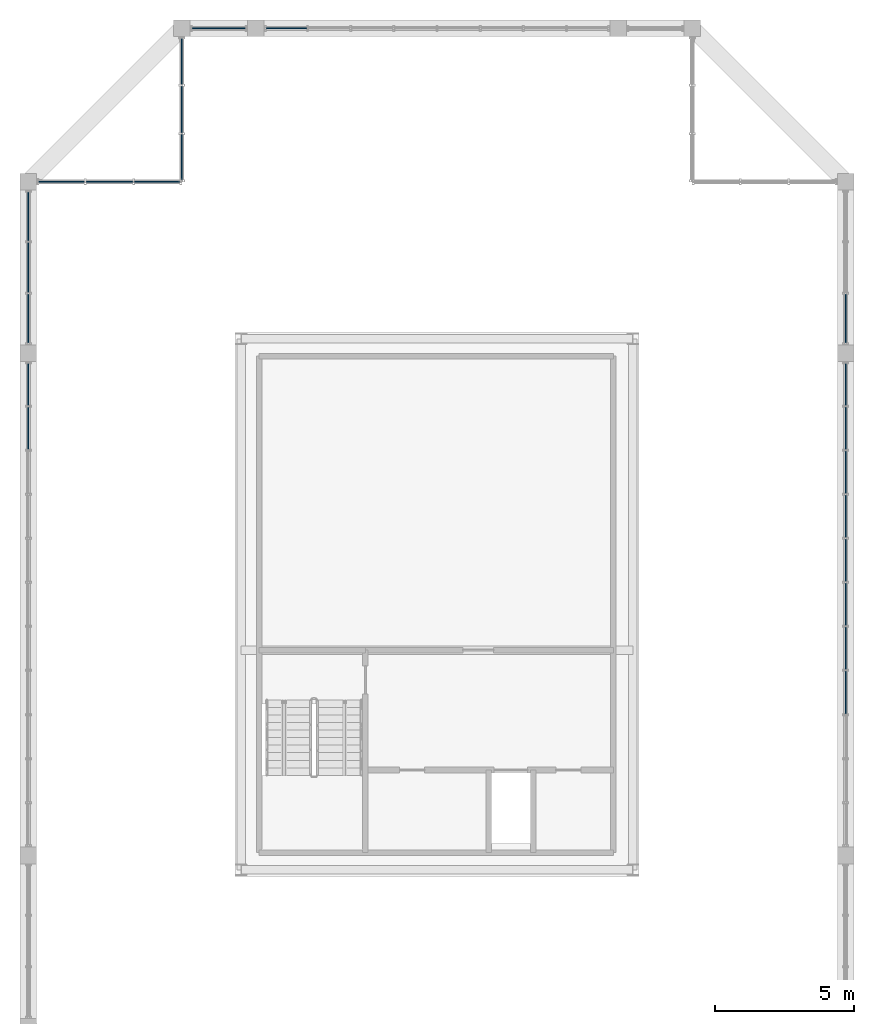
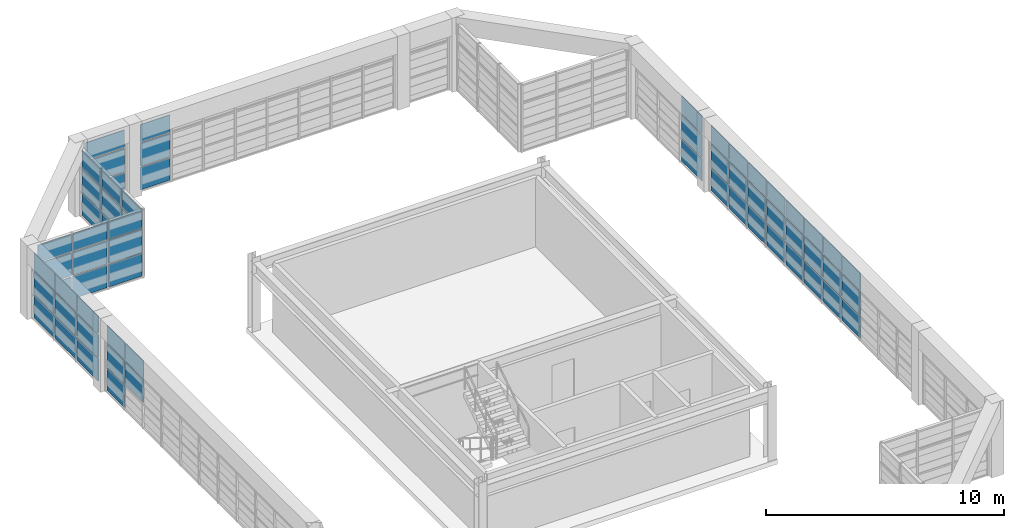
# One storey, part 22 of 27: 65 plates, 8 elements without a shape of their own.
"""IFC4 building model written with IfcOpenShell, lengths in metres."""

from ifc_helpers import new_model, si_unit, direction, frame, origin, origin_2d, place, context, subcontext, project, spatial, rectangle, extrude, source, transform, mapped, material, layer, layer_set, type_object, element, aggregate, save


model = new_model("IFC4")

# Units and contexts
model_context = context("Model", 3, precision=1e-05, world=origin(), true_north=direction((0.0, 1.0)))
body_context = subcontext(model_context, "Body", "Model", "MODEL_VIEW")
ifc_project = project(units=[si_unit("LENGTHUNIT", "METRE"), si_unit("AREAUNIT", "SQUARE_METRE"), si_unit("VOLUMEUNIT", "CUBIC_METRE"), si_unit("PLANEANGLEUNIT", "RADIAN"), si_unit("MASSUNIT", "GRAM", prefix="KILO")], contexts=[model_context])

# Site, building, storey
site_placement = place(None, origin())
site = spatial("IfcSite", under=ifc_project, at=site_placement, CompositionType="ELEMENT")
building_placement = place(site_placement, origin())
building = spatial("IfcBuilding", under=site, at=building_placement, Name="Saelheon Loggia Tower", CompositionType="ELEMENT")
storey_placement = place(building_placement, frame((0.0, 0.0, 263.60009765625)))
storey = spatial("IfcBuildingStorey", under=building, at=storey_placement, Name="CR4", CompositionType="ELEMENT", Elevation=263.60009765625)

# Curtain wall, plates
ifc_material_1 = material(Name="Bronze-Anodised Aluminium and Fritted Ceramic Screen", Category="aluminium")
ifc_layer_1 = layer(ifc_material_1, 0.219970703125)
ifc_layer_set_1 = layer_set([ifc_layer_1], Name="Bronze-Anodised Aluminium and Fritted Ceramic Screen")
curtain_wall_type = type_object("IfcCurtainWallType", Name="CW_CrownScreen", PredefinedType="NOTDEFINED", material=ifc_layer_set_1)
curtain_wall_1_placement = place(storey_placement, origin())
curtain_wall_1 = element("IfcCurtainWall", 1, at=curtain_wall_1_placement, inside=storey, type_object=curtain_wall_type, Name="CR4 Crown Screen Curtain Wall 6-3", PredefinedType="NOTDEFINED")
ifc_material_2 = material(Name="Bronze Ceramic Fritted Spandrel Panel", Category="aluminium")
ifc_layer_2 = layer(ifc_material_2, 0.0380859375)
ifc_layer_set_2 = layer_set([ifc_layer_2], Name="Bronze Ceramic Fritted Spandrel Panel")
plate_type = type_object("IfcPlateType", Name="CW_CrownScreen_Panel", PredefinedType="CURTAIN_PANEL", material=ifc_layer_set_2)
shared_shape_1 = source(origin(), body_context, "Body", "SweptSolid", [
    extrude(rectangle(XDim=1.889892578125, YDim=0.0380859375, at=origin_2d()), origin(), (0.0, 0.0, 1.0), 1.14501953125),
])
plate_1_placement = place(storey_placement, frame((30.175048828125, 47.64990234375, 0.06982421875), z_axis=(0.0, 0.0, 1.0), x_axis=(-1.0, 0.0, 0.0)))
plate_1 = element("IfcPlate", 2, at=plate_1_placement, type_object=plate_type, Name="CW6 panel 1.1", PredefinedType="CURTAIN_PANEL", context=body_context, shape_type="MappedRepresentation", body=[
    mapped(shared_shape_1, transform((0.0, 0.0, 0.0), scale=1.0)),
])
shared_shape_2 = source(origin(), body_context, "Body", "SweptSolid", [
    extrude(rectangle(XDim=1.889892578125, YDim=0.0380859375, at=origin_2d()), origin(), (0.0, 0.0, 1.0), 1.179931640625),
])
plate_2_placement = place(storey_placement, frame((30.175048828125, 47.64990234375, 1.28515625), z_axis=(0.0, 0.0, 1.0), x_axis=(-1.0, 0.0, 0.0)))
plate_2 = element("IfcPlate", 3, at=plate_2_placement, type_object=plate_type, Name="CW6 panel 1.2", PredefinedType="CURTAIN_PANEL", context=body_context, shape_type="MappedRepresentation", body=[
    mapped(shared_shape_2, transform((0.0, 0.0, 0.0), scale=1.0)),
])
shared_shape_3 = source(origin(), body_context, "Body", "SweptSolid", [
    extrude(rectangle(XDim=1.889892578125, YDim=0.0380859375, at=origin_2d()), origin(), (0.0, 0.0, 1.0), 0.875),
])
plate_3_placement = place(storey_placement, frame((30.175048828125, 47.64990234375, 2.534912109375), z_axis=(0.0, 0.0, 1.0), x_axis=(-1.0, 0.0, 0.0)))
plate_3 = element("IfcPlate", 4, at=plate_3_placement, type_object=plate_type, Name="CW6 panel 1.3", PredefinedType="CURTAIN_PANEL", context=body_context, shape_type="MappedRepresentation", body=[
    mapped(shared_shape_3, transform((0.0, 0.0, 0.0), scale=1.0)),
])
aggregate(curtain_wall_1, [plate_1, plate_2, plate_3])

curtain_wall_2_placement = place(storey_placement, origin())
curtain_wall_2 = element("IfcCurtainWall", 5, at=curtain_wall_2_placement, inside=storey, type_object=curtain_wall_type, Name="CR4 Crown Screen Curtain Wall 6-2", PredefinedType="NOTDEFINED")
shared_shape_4 = source(origin(), body_context, "Body", "SweptSolid", [
    extrude(rectangle(XDim=1.4423828125, YDim=0.0380859375, at=origin_2d()), origin(), (0.0, 0.0, 1.0), 1.14501953125),
])
plate_4_placement = place(storey_placement, frame((32.601318359375, 47.64990234375, 0.06982421875), z_axis=(0.0, 0.0, 1.0), x_axis=(-1.0, 0.0, 0.0)))
plate_4 = element("IfcPlate", 6, at=plate_4_placement, type_object=plate_type, Name="CW6 panel 8.1", PredefinedType="CURTAIN_PANEL", context=body_context, shape_type="MappedRepresentation", body=[
    mapped(shared_shape_4, transform((0.0, 0.0, 0.0), scale=1.0)),
])
shared_shape_5 = source(origin(), body_context, "Body", "SweptSolid", [
    extrude(rectangle(XDim=1.4423828125, YDim=0.0380859375, at=origin_2d()), origin(), (0.0, 0.0, 1.0), 1.179931640625),
])
plate_5_placement = place(storey_placement, frame((32.601318359375, 47.64990234375, 1.28515625), z_axis=(0.0, 0.0, 1.0), x_axis=(-1.0, 0.0, 0.0)))
plate_5 = element("IfcPlate", 7, at=plate_5_placement, type_object=plate_type, Name="CW6 panel 8.2", PredefinedType="CURTAIN_PANEL", context=body_context, shape_type="MappedRepresentation", body=[
    mapped(shared_shape_5, transform((0.0, 0.0, 0.0), scale=1.0)),
])
shared_shape_6 = source(origin(), body_context, "Body", "SweptSolid", [
    extrude(rectangle(XDim=1.4423828125, YDim=0.0380859375, at=origin_2d()), origin(), (0.0, 0.0, 1.0), 0.875),
])
plate_6_placement = place(storey_placement, frame((32.601318359375, 47.64990234375, 2.534912109375), z_axis=(0.0, 0.0, 1.0), x_axis=(-1.0, 0.0, 0.0)))
plate_6 = element("IfcPlate", 8, at=plate_6_placement, type_object=plate_type, Name="CW6 panel 8.3", PredefinedType="CURTAIN_PANEL", context=body_context, shape_type="MappedRepresentation", body=[
    mapped(shared_shape_6, transform((0.0, 0.0, 0.0), scale=1.0)),
])
aggregate(curtain_wall_2, [plate_4, plate_5, plate_6])

curtain_wall_3_placement = place(storey_placement, origin())
curtain_wall_3 = element("IfcCurtainWall", 9, at=curtain_wall_3_placement, inside=storey, type_object=curtain_wall_type, Name="CR4 Crown Screen Curtain Wall 7-1", PredefinedType="NOTDEFINED")
shared_shape_7 = source(origin(), body_context, "Body", "SweptSolid", [
    extrude(rectangle(XDim=1.625, YDim=0.0380859375, at=origin_2d()), origin(), (0.0, 0.0, 1.0), 1.14501953125),
])
plate_7_placement = place(storey_placement, frame((28.85009765625, 46.45751953125, 0.06982421875), z_axis=(0.0, 0.0, 1.0), x_axis=(0.0, -1.0, 0.0)))
plate_7 = element("IfcPlate", 10, at=plate_7_placement, type_object=plate_type, Name="CW6 panel 1.1", PredefinedType="CURTAIN_PANEL", context=body_context, shape_type="MappedRepresentation", body=[
    mapped(shared_shape_7, transform((0.0, 0.0, 0.0), scale=1.0)),
])
plate_8_placement = place(storey_placement, frame((28.85009765625, 43.032470703125, 0.06982421875), z_axis=(0.0, 0.0, 1.0), x_axis=(0.0, -1.0, 0.0)))
plate_8 = element("IfcPlate", 11, at=plate_8_placement, type_object=plate_type, Name="CW6 panel 3.1", PredefinedType="CURTAIN_PANEL", context=body_context, shape_type="MappedRepresentation", body=[
    mapped(shared_shape_7, transform((0.0, 0.0, 0.0), scale=1.0)),
])

curtain_wall_4_placement = place(storey_placement, origin())
curtain_wall_4 = element("IfcCurtainWall", 12, at=curtain_wall_4_placement, inside=storey, type_object=curtain_wall_type, Name="CR4 Crown Screen Curtain Wall 8-1", PredefinedType="NOTDEFINED")
plate_9_placement = place(storey_placement, frame((27.967529296875, 42.14990234375, 0.06982421875), z_axis=(0.0, 0.0, 1.0), x_axis=(-1.0, 0.0, 0.0)))
plate_9 = element("IfcPlate", 13, at=plate_9_placement, type_object=plate_type, Name="CW6 panel 1.1", PredefinedType="CURTAIN_PANEL", context=body_context, shape_type="MappedRepresentation", body=[
    mapped(shared_shape_7, transform((0.0, 0.0, 0.0), scale=1.0)),
])
plate_10_placement = place(storey_placement, frame((24.54248046875, 42.14990234375, 0.06982421875), z_axis=(0.0, 0.0, 1.0), x_axis=(-1.0, 0.0, 0.0)))
plate_10 = element("IfcPlate", 14, at=plate_10_placement, type_object=plate_type, Name="CW6 panel 3.1", PredefinedType="CURTAIN_PANEL", context=body_context, shape_type="MappedRepresentation", body=[
    mapped(shared_shape_7, transform((0.0, 0.0, 0.0), scale=1.0)),
])

# Plate
shared_shape_8 = source(origin(), body_context, "Body", "SweptSolid", [
    extrude(rectangle(XDim=1.625, YDim=0.0380859375, at=origin_2d()), origin(), (0.0, 0.0, 1.0), 1.179931640625),
])
plate_11_placement = place(storey_placement, frame((28.85009765625, 46.45751953125, 1.28515625), z_axis=(0.0, 0.0, 1.0), x_axis=(0.0, -1.0, 0.0)))
plate_11 = element("IfcPlate", 15, at=plate_11_placement, type_object=plate_type, Name="CW6 panel 1.2", PredefinedType="CURTAIN_PANEL", context=body_context, shape_type="MappedRepresentation", body=[
    mapped(shared_shape_8, transform((0.0, 0.0, 0.0), scale=1.0)),
])

plate_12_placement = place(storey_placement, frame((28.85009765625, 43.032470703125, 1.28515625), z_axis=(0.0, 0.0, 1.0), x_axis=(0.0, -1.0, 0.0)))
plate_12 = element("IfcPlate", 16, at=plate_12_placement, type_object=plate_type, Name="CW6 panel 3.2", PredefinedType="CURTAIN_PANEL", context=body_context, shape_type="MappedRepresentation", body=[
    mapped(shared_shape_8, transform((0.0, 0.0, 0.0), scale=1.0)),
])

plate_13_placement = place(storey_placement, frame((27.967529296875, 42.14990234375, 1.28515625), z_axis=(0.0, 0.0, 1.0), x_axis=(-1.0, 0.0, 0.0)))
plate_13 = element("IfcPlate", 17, at=plate_13_placement, type_object=plate_type, Name="CW6 panel 1.2", PredefinedType="CURTAIN_PANEL", context=body_context, shape_type="MappedRepresentation", body=[
    mapped(shared_shape_8, transform((0.0, 0.0, 0.0), scale=1.0)),
])

plate_14_placement = place(storey_placement, frame((24.54248046875, 42.14990234375, 1.28515625), z_axis=(0.0, 0.0, 1.0), x_axis=(-1.0, 0.0, 0.0)))
plate_14 = element("IfcPlate", 18, at=plate_14_placement, type_object=plate_type, Name="CW6 panel 3.2", PredefinedType="CURTAIN_PANEL", context=body_context, shape_type="MappedRepresentation", body=[
    mapped(shared_shape_8, transform((0.0, 0.0, 0.0), scale=1.0)),
])

shared_shape_9 = source(origin(), body_context, "Body", "SweptSolid", [
    extrude(rectangle(XDim=1.625, YDim=0.0380859375, at=origin_2d()), origin(), (0.0, 0.0, 1.0), 0.875),
])
plate_15_placement = place(storey_placement, frame((28.85009765625, 46.45751953125, 2.534912109375), z_axis=(0.0, 0.0, 1.0), x_axis=(0.0, -1.0, 0.0)))
plate_15 = element("IfcPlate", 19, at=plate_15_placement, type_object=plate_type, Name="CW6 panel 1.3", PredefinedType="CURTAIN_PANEL", context=body_context, shape_type="MappedRepresentation", body=[
    mapped(shared_shape_9, transform((0.0, 0.0, 0.0), scale=1.0)),
])

plate_16_placement = place(storey_placement, frame((28.85009765625, 43.032470703125, 2.534912109375), z_axis=(0.0, 0.0, 1.0), x_axis=(0.0, -1.0, 0.0)))
plate_16 = element("IfcPlate", 20, at=plate_16_placement, type_object=plate_type, Name="CW6 panel 3.3", PredefinedType="CURTAIN_PANEL", context=body_context, shape_type="MappedRepresentation", body=[
    mapped(shared_shape_9, transform((0.0, 0.0, 0.0), scale=1.0)),
])

plate_17_placement = place(storey_placement, frame((27.967529296875, 42.14990234375, 2.534912109375), z_axis=(0.0, 0.0, 1.0), x_axis=(-1.0, 0.0, 0.0)))
plate_17 = element("IfcPlate", 21, at=plate_17_placement, type_object=plate_type, Name="CW6 panel 1.3", PredefinedType="CURTAIN_PANEL", context=body_context, shape_type="MappedRepresentation", body=[
    mapped(shared_shape_9, transform((0.0, 0.0, 0.0), scale=1.0)),
])

plate_18_placement = place(storey_placement, frame((24.54248046875, 42.14990234375, 2.534912109375), z_axis=(0.0, 0.0, 1.0), x_axis=(-1.0, 0.0, 0.0)))
plate_18 = element("IfcPlate", 22, at=plate_18_placement, type_object=plate_type, Name="CW6 panel 3.3", PredefinedType="CURTAIN_PANEL", context=body_context, shape_type="MappedRepresentation", body=[
    mapped(shared_shape_9, transform((0.0, 0.0, 0.0), scale=1.0)),
])

shared_shape_10 = source(origin(), body_context, "Body", "SweptSolid", [
    extrude(rectangle(XDim=1.659912109375, YDim=0.0380859375, at=origin_2d()), origin(), (0.0, 0.0, 1.0), 1.14501953125),
])
plate_19_placement = place(storey_placement, frame((28.85009765625, 44.7451171875, 0.06982421875), z_axis=(0.0, 0.0, 1.0), x_axis=(0.0, -1.0, 0.0)))
plate_19 = element("IfcPlate", 23, at=plate_19_placement, type_object=plate_type, Name="CW6 panel 2.1", PredefinedType="CURTAIN_PANEL", context=body_context, shape_type="MappedRepresentation", body=[
    mapped(shared_shape_10, transform((0.0, 0.0, 0.0), scale=1.0)),
])

plate_20_placement = place(storey_placement, frame((26.2548828125, 42.14990234375, 0.06982421875), z_axis=(0.0, 0.0, 1.0), x_axis=(-1.0, 0.0, 0.0)))
plate_20 = element("IfcPlate", 24, at=plate_20_placement, type_object=plate_type, Name="CW6 panel 2.1", PredefinedType="CURTAIN_PANEL", context=body_context, shape_type="MappedRepresentation", body=[
    mapped(shared_shape_10, transform((0.0, 0.0, 0.0), scale=1.0)),
])

shared_shape_11 = source(origin(), body_context, "Body", "SweptSolid", [
    extrude(rectangle(XDim=1.659912109375, YDim=0.0380859375, at=origin_2d()), origin(), (0.0, 0.0, 1.0), 1.179931640625),
])
plate_21_placement = place(storey_placement, frame((28.85009765625, 44.7451171875, 1.28515625), z_axis=(0.0, 0.0, 1.0), x_axis=(0.0, -1.0, 0.0)))
plate_21 = element("IfcPlate", 25, at=plate_21_placement, type_object=plate_type, Name="CW6 panel 2.2", PredefinedType="CURTAIN_PANEL", context=body_context, shape_type="MappedRepresentation", body=[
    mapped(shared_shape_11, transform((0.0, 0.0, 0.0), scale=1.0)),
])

plate_22_placement = place(storey_placement, frame((26.2548828125, 42.14990234375, 1.28515625), z_axis=(0.0, 0.0, 1.0), x_axis=(-1.0, 0.0, 0.0)))
plate_22 = element("IfcPlate", 26, at=plate_22_placement, type_object=plate_type, Name="CW6 panel 2.2", PredefinedType="CURTAIN_PANEL", context=body_context, shape_type="MappedRepresentation", body=[
    mapped(shared_shape_11, transform((0.0, 0.0, 0.0), scale=1.0)),
])

shared_shape_12 = source(origin(), body_context, "Body", "SweptSolid", [
    extrude(rectangle(XDim=1.659912109375, YDim=0.0380859375, at=origin_2d()), origin(), (0.0, 0.0, 1.0), 0.875),
])
plate_23_placement = place(storey_placement, frame((28.85009765625, 44.7451171875, 2.534912109375), z_axis=(0.0, 0.0, 1.0), x_axis=(0.0, -1.0, 0.0)))
plate_23 = element("IfcPlate", 27, at=plate_23_placement, type_object=plate_type, Name="CW6 panel 2.3", PredefinedType="CURTAIN_PANEL", context=body_context, shape_type="MappedRepresentation", body=[
    mapped(shared_shape_12, transform((0.0, 0.0, 0.0), scale=1.0)),
])

aggregate(curtain_wall_3, [plate_7, plate_11, plate_15, plate_19, plate_21, plate_23, plate_8, plate_12, plate_16])

plate_24_placement = place(storey_placement, frame((26.2548828125, 42.14990234375, 2.534912109375), z_axis=(0.0, 0.0, 1.0), x_axis=(-1.0, 0.0, 0.0)))
plate_24 = element("IfcPlate", 28, at=plate_24_placement, type_object=plate_type, Name="CW6 panel 2.3", PredefinedType="CURTAIN_PANEL", context=body_context, shape_type="MappedRepresentation", body=[
    mapped(shared_shape_12, transform((0.0, 0.0, 0.0), scale=1.0)),
])

aggregate(curtain_wall_4, [plate_9, plate_13, plate_17, plate_20, plate_22, plate_24, plate_10, plate_14, plate_18])

# Curtain wall, plate
curtain_wall_5_placement = place(storey_placement, origin())
curtain_wall_5 = element("IfcCurtainWall", 29, at=curtain_wall_5_placement, inside=storey, type_object=curtain_wall_type, Name="CR4 Crown Screen Curtain Wall 3-3", PredefinedType="NOTDEFINED")
shared_shape_13 = source(origin(), body_context, "Body", "SweptSolid", [
    extrude(rectangle(XDim=1.73828125, YDim=0.0380859375, at=origin_2d()), origin(), (0.0, 0.0, 1.0), 1.14501953125),
])
plate_25_placement = place(storey_placement, frame((52.64990234375, 37.249267578125, 0.06982421875), z_axis=(0.0, 0.0, 1.0), x_axis=(0.0, 1.0, 0.0)))
plate_25 = element("IfcPlate", 30, at=plate_25_placement, type_object=plate_type, Name="CW6 panel 1.1", PredefinedType="CURTAIN_PANEL", context=body_context, shape_type="MappedRepresentation", body=[
    mapped(shared_shape_13, transform((0.0, 0.0, 0.0), scale=1.0)),
])

# Curtain wall, plates
curtain_wall_6_placement = place(storey_placement, origin())
curtain_wall_6 = element("IfcCurtainWall", 31, at=curtain_wall_6_placement, inside=storey, type_object=curtain_wall_type, Name="CR4 Crown Screen Curtain Wall 9-1", PredefinedType="NOTDEFINED")
plate_26_placement = place(storey_placement, frame((23.35009765625, 40.90087890625, 0.06982421875), z_axis=(0.0, 0.0, 1.0), x_axis=(0.0, -1.0, 0.0)))
plate_26 = element("IfcPlate", 32, at=plate_26_placement, type_object=plate_type, Name="CW6 panel 1.1", PredefinedType="CURTAIN_PANEL", context=body_context, shape_type="MappedRepresentation", body=[
    mapped(shared_shape_13, transform((0.0, 0.0, 0.0), scale=1.0)),
])
plate_27_placement = place(storey_placement, frame((23.35009765625, 37.249267578125, 0.06982421875), z_axis=(0.0, 0.0, 1.0), x_axis=(0.0, -1.0, 0.0)))
plate_27 = element("IfcPlate", 33, at=plate_27_placement, type_object=plate_type, Name="CW6 panel 3.1", PredefinedType="CURTAIN_PANEL", context=body_context, shape_type="MappedRepresentation", body=[
    mapped(shared_shape_13, transform((0.0, 0.0, 0.0), scale=1.0)),
])

# Plate
shared_shape_14 = source(origin(), body_context, "Body", "SweptSolid", [
    extrude(rectangle(XDim=1.73828125, YDim=0.0380859375, at=origin_2d()), origin(), (0.0, 0.0, 1.0), 1.179931640625),
])
plate_28_placement = place(storey_placement, frame((52.64990234375, 37.249267578125, 1.28515625), z_axis=(0.0, 0.0, 1.0), x_axis=(0.0, 1.0, 0.0)))
plate_28 = element("IfcPlate", 34, at=plate_28_placement, type_object=plate_type, Name="CW6 panel 1.2", PredefinedType="CURTAIN_PANEL", context=body_context, shape_type="MappedRepresentation", body=[
    mapped(shared_shape_14, transform((0.0, 0.0, 0.0), scale=1.0)),
])

plate_29_placement = place(storey_placement, frame((23.35009765625, 40.90087890625, 1.28515625), z_axis=(0.0, 0.0, 1.0), x_axis=(0.0, -1.0, 0.0)))
plate_29 = element("IfcPlate", 35, at=plate_29_placement, type_object=plate_type, Name="CW6 panel 1.2", PredefinedType="CURTAIN_PANEL", context=body_context, shape_type="MappedRepresentation", body=[
    mapped(shared_shape_14, transform((0.0, 0.0, 0.0), scale=1.0)),
])

plate_30_placement = place(storey_placement, frame((23.35009765625, 37.249267578125, 1.28515625), z_axis=(0.0, 0.0, 1.0), x_axis=(0.0, -1.0, 0.0)))
plate_30 = element("IfcPlate", 36, at=plate_30_placement, type_object=plate_type, Name="CW6 panel 3.2", PredefinedType="CURTAIN_PANEL", context=body_context, shape_type="MappedRepresentation", body=[
    mapped(shared_shape_14, transform((0.0, 0.0, 0.0), scale=1.0)),
])

shared_shape_15 = source(origin(), body_context, "Body", "SweptSolid", [
    extrude(rectangle(XDim=1.73828125, YDim=0.0380859375, at=origin_2d()), origin(), (0.0, 0.0, 1.0), 0.875),
])
plate_31_placement = place(storey_placement, frame((52.64990234375, 37.249267578125, 2.534912109375), z_axis=(0.0, 0.0, 1.0), x_axis=(0.0, 1.0, 0.0)))
plate_31 = element("IfcPlate", 37, at=plate_31_placement, type_object=plate_type, Name="CW6 panel 1.3", PredefinedType="CURTAIN_PANEL", context=body_context, shape_type="MappedRepresentation", body=[
    mapped(shared_shape_15, transform((0.0, 0.0, 0.0), scale=1.0)),
])

aggregate(curtain_wall_5, [plate_25, plate_28, plate_31])

plate_32_placement = place(storey_placement, frame((23.35009765625, 40.90087890625, 2.534912109375), z_axis=(0.0, 0.0, 1.0), x_axis=(0.0, -1.0, 0.0)))
plate_32 = element("IfcPlate", 38, at=plate_32_placement, type_object=plate_type, Name="CW6 panel 1.3", PredefinedType="CURTAIN_PANEL", context=body_context, shape_type="MappedRepresentation", body=[
    mapped(shared_shape_15, transform((0.0, 0.0, 0.0), scale=1.0)),
])

plate_33_placement = place(storey_placement, frame((23.35009765625, 37.249267578125, 2.534912109375), z_axis=(0.0, 0.0, 1.0), x_axis=(0.0, -1.0, 0.0)))
plate_33 = element("IfcPlate", 39, at=plate_33_placement, type_object=plate_type, Name="CW6 panel 3.3", PredefinedType="CURTAIN_PANEL", context=body_context, shape_type="MappedRepresentation", body=[
    mapped(shared_shape_15, transform((0.0, 0.0, 0.0), scale=1.0)),
])

shared_shape_16 = source(origin(), body_context, "Body", "SweptSolid", [
    extrude(rectangle(XDim=1.7734375, YDim=0.0380859375, at=origin_2d()), origin(), (0.0, 0.0, 1.0), 1.14501953125),
])
plate_34_placement = place(storey_placement, frame((23.35009765625, 39.074951171875, 0.06982421875), z_axis=(0.0, 0.0, 1.0), x_axis=(0.0, -1.0, 0.0)))
plate_34 = element("IfcPlate", 40, at=plate_34_placement, type_object=plate_type, Name="CW6 panel 2.1", PredefinedType="CURTAIN_PANEL", context=body_context, shape_type="MappedRepresentation", body=[
    mapped(shared_shape_16, transform((0.0, 0.0, 0.0), scale=1.0)),
])

shared_shape_17 = source(origin(), body_context, "Body", "SweptSolid", [
    extrude(rectangle(XDim=1.7734375, YDim=0.0380859375, at=origin_2d()), origin(), (0.0, 0.0, 1.0), 1.179931640625),
])
plate_35_placement = place(storey_placement, frame((23.35009765625, 39.074951171875, 1.28515625), z_axis=(0.0, 0.0, 1.0), x_axis=(0.0, -1.0, 0.0)))
plate_35 = element("IfcPlate", 41, at=plate_35_placement, type_object=plate_type, Name="CW6 panel 2.2", PredefinedType="CURTAIN_PANEL", context=body_context, shape_type="MappedRepresentation", body=[
    mapped(shared_shape_17, transform((0.0, 0.0, 0.0), scale=1.0)),
])

shared_shape_18 = source(origin(), body_context, "Body", "SweptSolid", [
    extrude(rectangle(XDim=1.7734375, YDim=0.0380859375, at=origin_2d()), origin(), (0.0, 0.0, 1.0), 0.875),
])
plate_36_placement = place(storey_placement, frame((23.35009765625, 39.074951171875, 2.534912109375), z_axis=(0.0, 0.0, 1.0), x_axis=(0.0, -1.0, 0.0)))
plate_36 = element("IfcPlate", 42, at=plate_36_placement, type_object=plate_type, Name="CW6 panel 2.3", PredefinedType="CURTAIN_PANEL", context=body_context, shape_type="MappedRepresentation", body=[
    mapped(shared_shape_18, transform((0.0, 0.0, 0.0), scale=1.0)),
])

aggregate(curtain_wall_6, [plate_26, plate_29, plate_32, plate_34, plate_35, plate_36, plate_27, plate_30, plate_33])

# Curtain wall, plate
curtain_wall_7_placement = place(storey_placement, origin())
curtain_wall_7 = element("IfcCurtainWall", 43, at=curtain_wall_7_placement, inside=storey, type_object=curtain_wall_type, Name="CR4 Crown Screen Curtain Wall 3-2", PredefinedType="NOTDEFINED")
shared_shape_19 = source(origin(), body_context, "Body", "SweptSolid", [
    extrude(rectangle(XDim=1.47509765625, YDim=0.0380859375, at=origin_2d()), origin(), (0.0, 0.0, 1.0), 1.14501953125),
])
plate_37_placement = place(storey_placement, frame((52.64990234375, 34.882568359375, 0.06982421875), z_axis=(0.0, 0.0, 1.0), x_axis=(0.0, 1.0, 0.0)))
plate_37 = element("IfcPlate", 44, at=plate_37_placement, type_object=plate_type, Name="CW6 panel 11.1", PredefinedType="CURTAIN_PANEL", context=body_context, shape_type="MappedRepresentation", body=[
    mapped(shared_shape_19, transform((0.0, 0.0, 0.0), scale=1.0)),
])

curtain_wall_8_placement = place(storey_placement, origin())
curtain_wall_8 = element("IfcCurtainWall", 45, at=curtain_wall_8_placement, inside=storey, type_object=curtain_wall_type, Name="CR4 Crown Screen Curtain Wall 9-2", PredefinedType="NOTDEFINED")
plate_38_placement = place(storey_placement, frame((23.35009765625, 34.882568359375, 0.06982421875), z_axis=(0.0, 0.0, 1.0), x_axis=(0.0, -1.0, 0.0)))
plate_38 = element("IfcPlate", 46, at=plate_38_placement, type_object=plate_type, Name="CW6 panel 1.1", PredefinedType="CURTAIN_PANEL", context=body_context, shape_type="MappedRepresentation", body=[
    mapped(shared_shape_19, transform((0.0, 0.0, 0.0), scale=1.0)),
])

# Plate
shared_shape_20 = source(origin(), body_context, "Body", "SweptSolid", [
    extrude(rectangle(XDim=1.47509765625, YDim=0.0380859375, at=origin_2d()), origin(), (0.0, 0.0, 1.0), 1.179931640625),
])
plate_39_placement = place(storey_placement, frame((52.64990234375, 34.882568359375, 1.28515625), z_axis=(0.0, 0.0, 1.0), x_axis=(0.0, 1.0, 0.0)))
plate_39 = element("IfcPlate", 47, at=plate_39_placement, type_object=plate_type, Name="CW6 panel 11.2", PredefinedType="CURTAIN_PANEL", context=body_context, shape_type="MappedRepresentation", body=[
    mapped(shared_shape_20, transform((0.0, 0.0, 0.0), scale=1.0)),
])

plate_40_placement = place(storey_placement, frame((23.35009765625, 34.882568359375, 1.28515625), z_axis=(0.0, 0.0, 1.0), x_axis=(0.0, -1.0, 0.0)))
plate_40 = element("IfcPlate", 48, at=plate_40_placement, type_object=plate_type, Name="CW6 panel 1.2", PredefinedType="CURTAIN_PANEL", context=body_context, shape_type="MappedRepresentation", body=[
    mapped(shared_shape_20, transform((0.0, 0.0, 0.0), scale=1.0)),
])

shared_shape_21 = source(origin(), body_context, "Body", "SweptSolid", [
    extrude(rectangle(XDim=1.47509765625, YDim=0.0380859375, at=origin_2d()), origin(), (0.0, 0.0, 1.0), 0.875),
])
plate_41_placement = place(storey_placement, frame((52.64990234375, 34.882568359375, 2.534912109375), z_axis=(0.0, 0.0, 1.0), x_axis=(0.0, 1.0, 0.0)))
plate_41 = element("IfcPlate", 49, at=plate_41_placement, type_object=plate_type, Name="CW6 panel 11.3", PredefinedType="CURTAIN_PANEL", context=body_context, shape_type="MappedRepresentation", body=[
    mapped(shared_shape_21, transform((0.0, 0.0, 0.0), scale=1.0)),
])

plate_42_placement = place(storey_placement, frame((23.35009765625, 34.882568359375, 2.534912109375), z_axis=(0.0, 0.0, 1.0), x_axis=(0.0, -1.0, 0.0)))
plate_42 = element("IfcPlate", 50, at=plate_42_placement, type_object=plate_type, Name="CW6 panel 1.3", PredefinedType="CURTAIN_PANEL", context=body_context, shape_type="MappedRepresentation", body=[
    mapped(shared_shape_21, transform((0.0, 0.0, 0.0), scale=1.0)),
])

shared_shape_22 = source(origin(), body_context, "Body", "SweptSolid", [
    extrude(rectangle(XDim=1.510009765625, YDim=0.0380859375, at=origin_2d()), origin(), (0.0, 0.0, 1.0), 1.14501953125),
])
plate_43_placement = place(storey_placement, frame((52.64990234375, 23.840087890625, 0.06982421875), z_axis=(0.0, 0.0, 1.0), x_axis=(0.0, 1.0, 0.0)))
plate_43 = element("IfcPlate", 51, at=plate_43_placement, type_object=plate_type, Name="CW6 panel 4.1", PredefinedType="CURTAIN_PANEL", context=body_context, shape_type="MappedRepresentation", body=[
    mapped(shared_shape_22, transform((0.0, 0.0, 0.0), scale=1.0)),
])

plate_44_placement = place(storey_placement, frame((52.64990234375, 25.419921875, 0.06982421875), z_axis=(0.0, 0.0, 1.0), x_axis=(0.0, 1.0, 0.0)))
plate_44 = element("IfcPlate", 52, at=plate_44_placement, type_object=plate_type, Name="CW6 panel 5.1", PredefinedType="CURTAIN_PANEL", context=body_context, shape_type="MappedRepresentation", body=[
    mapped(shared_shape_22, transform((0.0, 0.0, 0.0), scale=1.0)),
])

plate_45_placement = place(storey_placement, frame((52.64990234375, 27.0, 0.06982421875), z_axis=(0.0, 0.0, 1.0), x_axis=(0.0, 1.0, 0.0)))
plate_45 = element("IfcPlate", 53, at=plate_45_placement, type_object=plate_type, Name="CW6 panel 6.1", PredefinedType="CURTAIN_PANEL", context=body_context, shape_type="MappedRepresentation", body=[
    mapped(shared_shape_22, transform((0.0, 0.0, 0.0), scale=1.0)),
])

plate_46_placement = place(storey_placement, frame((52.64990234375, 28.580078125, 0.06982421875), z_axis=(0.0, 0.0, 1.0), x_axis=(0.0, 1.0, 0.0)))
plate_46 = element("IfcPlate", 54, at=plate_46_placement, type_object=plate_type, Name="CW6 panel 7.1", PredefinedType="CURTAIN_PANEL", context=body_context, shape_type="MappedRepresentation", body=[
    mapped(shared_shape_22, transform((0.0, 0.0, 0.0), scale=1.0)),
])

plate_47_placement = place(storey_placement, frame((52.64990234375, 30.159912109375, 0.06982421875), z_axis=(0.0, 0.0, 1.0), x_axis=(0.0, 1.0, 0.0)))
plate_47 = element("IfcPlate", 55, at=plate_47_placement, type_object=plate_type, Name="CW6 panel 8.1", PredefinedType="CURTAIN_PANEL", context=body_context, shape_type="MappedRepresentation", body=[
    mapped(shared_shape_22, transform((0.0, 0.0, 0.0), scale=1.0)),
])

plate_48_placement = place(storey_placement, frame((52.64990234375, 31.739990234375, 0.06982421875), z_axis=(0.0, 0.0, 1.0), x_axis=(0.0, 1.0, 0.0)))
plate_48 = element("IfcPlate", 56, at=plate_48_placement, type_object=plate_type, Name="CW6 panel 9.1", PredefinedType="CURTAIN_PANEL", context=body_context, shape_type="MappedRepresentation", body=[
    mapped(shared_shape_22, transform((0.0, 0.0, 0.0), scale=1.0)),
])

plate_49_placement = place(storey_placement, frame((52.64990234375, 33.320068359375, 0.06982421875), z_axis=(0.0, 0.0, 1.0), x_axis=(0.0, 1.0, 0.0)))
plate_49 = element("IfcPlate", 57, at=plate_49_placement, type_object=plate_type, Name="CW6 panel 10.1", PredefinedType="CURTAIN_PANEL", context=body_context, shape_type="MappedRepresentation", body=[
    mapped(shared_shape_22, transform((0.0, 0.0, 0.0), scale=1.0)),
])

shared_shape_23 = source(origin(), body_context, "Body", "SweptSolid", [
    extrude(rectangle(XDim=1.510009765625, YDim=0.0380859375, at=origin_2d()), origin(), (0.0, 0.0, 1.0), 1.179931640625),
])
plate_50_placement = place(storey_placement, frame((52.64990234375, 23.840087890625, 1.28515625), z_axis=(0.0, 0.0, 1.0), x_axis=(0.0, 1.0, 0.0)))
plate_50 = element("IfcPlate", 58, at=plate_50_placement, type_object=plate_type, Name="CW6 panel 4.2", PredefinedType="CURTAIN_PANEL", context=body_context, shape_type="MappedRepresentation", body=[
    mapped(shared_shape_23, transform((0.0, 0.0, 0.0), scale=1.0)),
])

plate_51_placement = place(storey_placement, frame((52.64990234375, 25.419921875, 1.28515625), z_axis=(0.0, 0.0, 1.0), x_axis=(0.0, 1.0, 0.0)))
plate_51 = element("IfcPlate", 59, at=plate_51_placement, type_object=plate_type, Name="CW6 panel 5.2", PredefinedType="CURTAIN_PANEL", context=body_context, shape_type="MappedRepresentation", body=[
    mapped(shared_shape_23, transform((0.0, 0.0, 0.0), scale=1.0)),
])

plate_52_placement = place(storey_placement, frame((52.64990234375, 27.0, 1.28515625), z_axis=(0.0, 0.0, 1.0), x_axis=(0.0, 1.0, 0.0)))
plate_52 = element("IfcPlate", 60, at=plate_52_placement, type_object=plate_type, Name="CW6 panel 6.2", PredefinedType="CURTAIN_PANEL", context=body_context, shape_type="MappedRepresentation", body=[
    mapped(shared_shape_23, transform((0.0, 0.0, 0.0), scale=1.0)),
])

plate_53_placement = place(storey_placement, frame((52.64990234375, 28.580078125, 1.28515625), z_axis=(0.0, 0.0, 1.0), x_axis=(0.0, 1.0, 0.0)))
plate_53 = element("IfcPlate", 61, at=plate_53_placement, type_object=plate_type, Name="CW6 panel 7.2", PredefinedType="CURTAIN_PANEL", context=body_context, shape_type="MappedRepresentation", body=[
    mapped(shared_shape_23, transform((0.0, 0.0, 0.0), scale=1.0)),
])

plate_54_placement = place(storey_placement, frame((52.64990234375, 30.159912109375, 1.28515625), z_axis=(0.0, 0.0, 1.0), x_axis=(0.0, 1.0, 0.0)))
plate_54 = element("IfcPlate", 62, at=plate_54_placement, type_object=plate_type, Name="CW6 panel 8.2", PredefinedType="CURTAIN_PANEL", context=body_context, shape_type="MappedRepresentation", body=[
    mapped(shared_shape_23, transform((0.0, 0.0, 0.0), scale=1.0)),
])

plate_55_placement = place(storey_placement, frame((52.64990234375, 31.739990234375, 1.28515625), z_axis=(0.0, 0.0, 1.0), x_axis=(0.0, 1.0, 0.0)))
plate_55 = element("IfcPlate", 63, at=plate_55_placement, type_object=plate_type, Name="CW6 panel 9.2", PredefinedType="CURTAIN_PANEL", context=body_context, shape_type="MappedRepresentation", body=[
    mapped(shared_shape_23, transform((0.0, 0.0, 0.0), scale=1.0)),
])

plate_56_placement = place(storey_placement, frame((52.64990234375, 33.320068359375, 1.28515625), z_axis=(0.0, 0.0, 1.0), x_axis=(0.0, 1.0, 0.0)))
plate_56 = element("IfcPlate", 64, at=plate_56_placement, type_object=plate_type, Name="CW6 panel 10.2", PredefinedType="CURTAIN_PANEL", context=body_context, shape_type="MappedRepresentation", body=[
    mapped(shared_shape_23, transform((0.0, 0.0, 0.0), scale=1.0)),
])

plate_57_placement = place(storey_placement, frame((23.35009765625, 33.320068359375, 1.28515625), z_axis=(0.0, 0.0, 1.0), x_axis=(0.0, -1.0, 0.0)))
plate_57 = element("IfcPlate", 65, at=plate_57_placement, type_object=plate_type, Name="CW6 panel 2.2", PredefinedType="CURTAIN_PANEL", context=body_context, shape_type="MappedRepresentation", body=[
    mapped(shared_shape_23, transform((0.0, 0.0, 0.0), scale=1.0)),
])

shared_shape_24 = source(origin(), body_context, "Body", "SweptSolid", [
    extrude(rectangle(XDim=1.510009765625, YDim=0.0380859375, at=origin_2d()), origin(), (0.0, 0.0, 1.0), 0.875),
])
plate_58_placement = place(storey_placement, frame((52.64990234375, 23.840087890625, 2.534912109375), z_axis=(0.0, 0.0, 1.0), x_axis=(0.0, 1.0, 0.0)))
plate_58 = element("IfcPlate", 66, at=plate_58_placement, type_object=plate_type, Name="CW6 panel 4.3", PredefinedType="CURTAIN_PANEL", context=body_context, shape_type="MappedRepresentation", body=[
    mapped(shared_shape_24, transform((0.0, 0.0, 0.0), scale=1.0)),
])

plate_59_placement = place(storey_placement, frame((52.64990234375, 25.419921875, 2.534912109375), z_axis=(0.0, 0.0, 1.0), x_axis=(0.0, 1.0, 0.0)))
plate_59 = element("IfcPlate", 67, at=plate_59_placement, type_object=plate_type, Name="CW6 panel 5.3", PredefinedType="CURTAIN_PANEL", context=body_context, shape_type="MappedRepresentation", body=[
    mapped(shared_shape_24, transform((0.0, 0.0, 0.0), scale=1.0)),
])

plate_60_placement = place(storey_placement, frame((52.64990234375, 27.0, 2.534912109375), z_axis=(0.0, 0.0, 1.0), x_axis=(0.0, 1.0, 0.0)))
plate_60 = element("IfcPlate", 68, at=plate_60_placement, type_object=plate_type, Name="CW6 panel 6.3", PredefinedType="CURTAIN_PANEL", context=body_context, shape_type="MappedRepresentation", body=[
    mapped(shared_shape_24, transform((0.0, 0.0, 0.0), scale=1.0)),
])

plate_61_placement = place(storey_placement, frame((52.64990234375, 28.580078125, 2.534912109375), z_axis=(0.0, 0.0, 1.0), x_axis=(0.0, 1.0, 0.0)))
plate_61 = element("IfcPlate", 69, at=plate_61_placement, type_object=plate_type, Name="CW6 panel 7.3", PredefinedType="CURTAIN_PANEL", context=body_context, shape_type="MappedRepresentation", body=[
    mapped(shared_shape_24, transform((0.0, 0.0, 0.0), scale=1.0)),
])

plate_62_placement = place(storey_placement, frame((52.64990234375, 30.159912109375, 2.534912109375), z_axis=(0.0, 0.0, 1.0), x_axis=(0.0, 1.0, 0.0)))
plate_62 = element("IfcPlate", 70, at=plate_62_placement, type_object=plate_type, Name="CW6 panel 8.3", PredefinedType="CURTAIN_PANEL", context=body_context, shape_type="MappedRepresentation", body=[
    mapped(shared_shape_24, transform((0.0, 0.0, 0.0), scale=1.0)),
])

plate_63_placement = place(storey_placement, frame((52.64990234375, 31.739990234375, 2.534912109375), z_axis=(0.0, 0.0, 1.0), x_axis=(0.0, 1.0, 0.0)))
plate_63 = element("IfcPlate", 71, at=plate_63_placement, type_object=plate_type, Name="CW6 panel 9.3", PredefinedType="CURTAIN_PANEL", context=body_context, shape_type="MappedRepresentation", body=[
    mapped(shared_shape_24, transform((0.0, 0.0, 0.0), scale=1.0)),
])

plate_64_placement = place(storey_placement, frame((52.64990234375, 33.320068359375, 2.534912109375), z_axis=(0.0, 0.0, 1.0), x_axis=(0.0, 1.0, 0.0)))
plate_64 = element("IfcPlate", 72, at=plate_64_placement, type_object=plate_type, Name="CW6 panel 10.3", PredefinedType="CURTAIN_PANEL", context=body_context, shape_type="MappedRepresentation", body=[
    mapped(shared_shape_24, transform((0.0, 0.0, 0.0), scale=1.0)),
])

aggregate(curtain_wall_7, [plate_43, plate_50, plate_58, plate_44, plate_51, plate_59, plate_45, plate_52, plate_60, plate_46, plate_53, plate_61, plate_47, plate_54, plate_62, plate_48, plate_55, plate_63, plate_49, plate_56, plate_64, plate_37, plate_39, plate_41])

plate_65_placement = place(storey_placement, frame((23.35009765625, 33.320068359375, 2.534912109375), z_axis=(0.0, 0.0, 1.0), x_axis=(0.0, -1.0, 0.0)))
plate_65 = element("IfcPlate", 73, at=plate_65_placement, type_object=plate_type, Name="CW6 panel 2.3", PredefinedType="CURTAIN_PANEL", context=body_context, shape_type="MappedRepresentation", body=[
    mapped(shared_shape_24, transform((0.0, 0.0, 0.0), scale=1.0)),
])

aggregate(curtain_wall_8, [plate_38, plate_40, plate_42, plate_57, plate_65])

save(model, "model.ifc")
